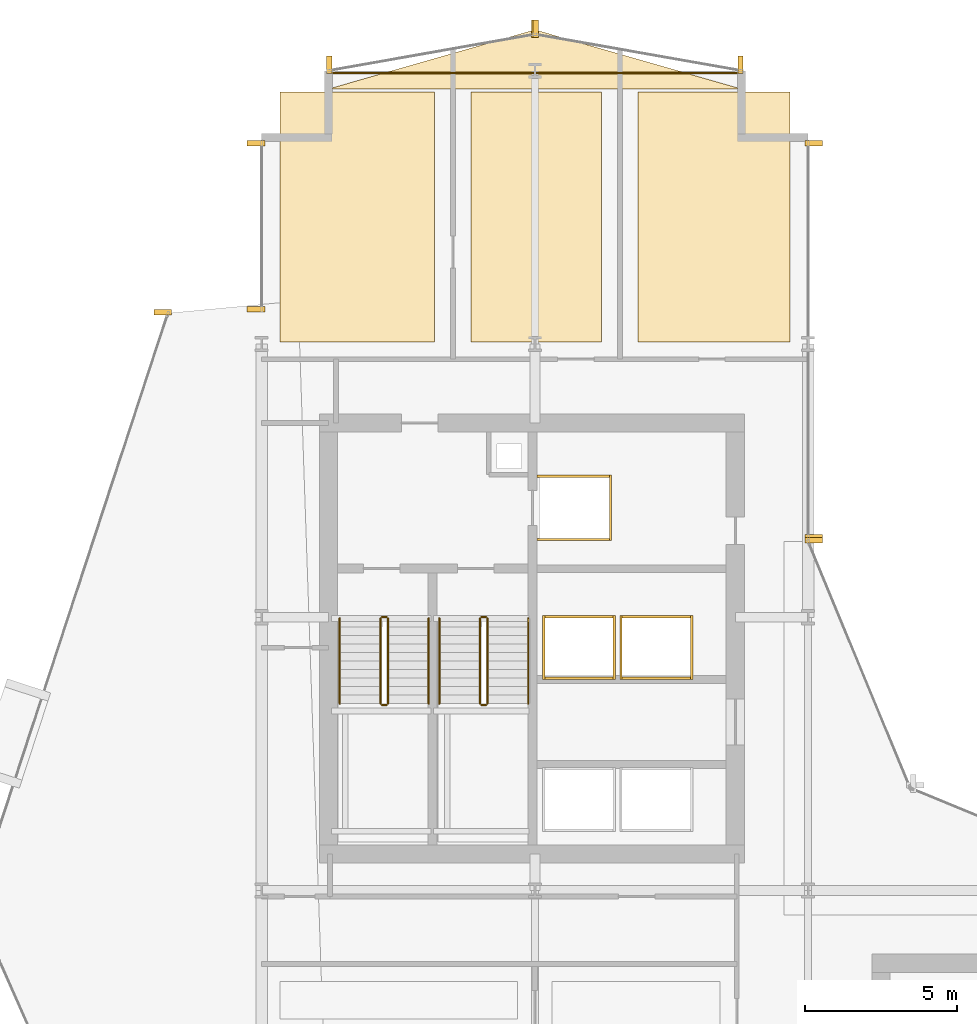
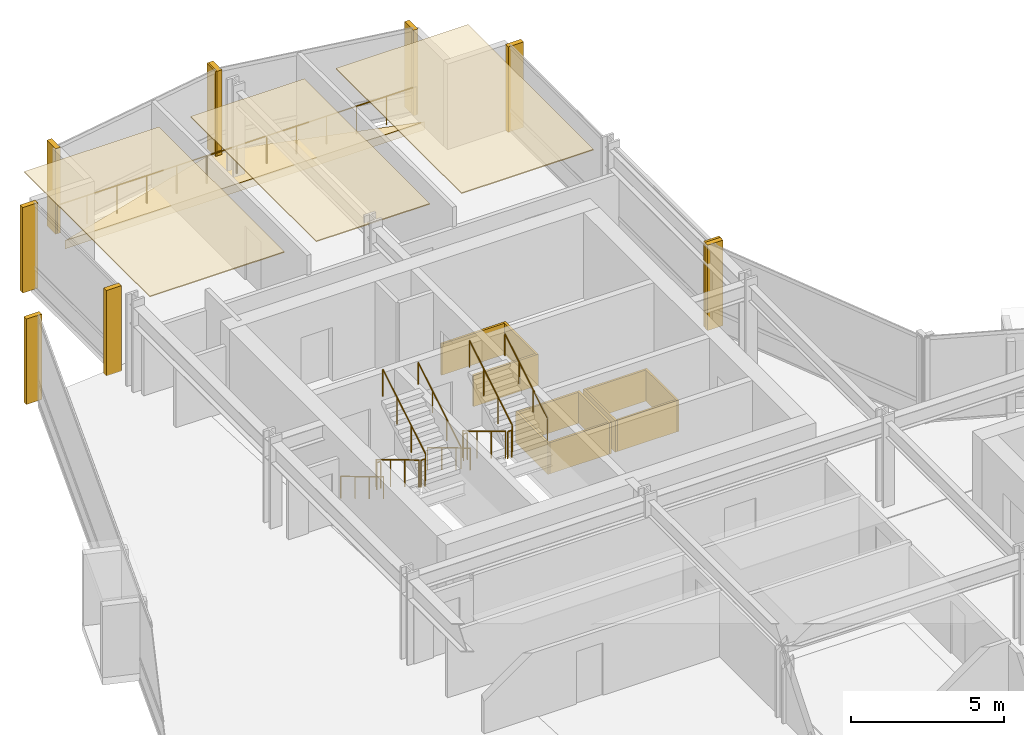
# One storey, part 33 of 34: 25 coverings, 13 railings.
"""IFC4 building model written with IfcOpenShell, lengths in metres."""

from ifc_helpers import new_model, si_unit, direction, frame, origin, origin_2d, place, context, subcontext, project, spatial, polyline, rectangle, circle, outline, extrude, material, layer, layer_set, type_object, element, save


model = new_model("IFC4")

# Units and contexts
model_context = context("Model", 3, precision=1e-05, world=origin(), true_north=direction((0.0, 1.0)))
body_context = subcontext(model_context, "Body", "Model", "MODEL_VIEW")
ifc_project = project(units=[si_unit("LENGTHUNIT", "METRE"), si_unit("AREAUNIT", "SQUARE_METRE"), si_unit("VOLUMEUNIT", "CUBIC_METRE"), si_unit("PLANEANGLEUNIT", "RADIAN"), si_unit("MASSUNIT", "GRAM", prefix="KILO")], contexts=[model_context])

# Site, building, storey
site_placement = place(None, origin())
site = spatial("IfcSite", under=ifc_project, at=site_placement, CompositionType="ELEMENT")
building_placement = place(site_placement, origin())
building = spatial("IfcBuilding", under=site, at=building_placement, Name="Solvaryn Broadcast Tower", CompositionType="ELEMENT")
storey_placement = place(building_placement, frame((0.0, 0.0, 43.39990234375)))
storey = spatial("IfcBuildingStorey", under=building, at=storey_placement, Name="L09", CompositionType="ELEMENT", Elevation=43.39990234375)

# Coverings
ifc_material_1 = material(Name="Micro-Perforated Acoustic Gypsum Ceiling", Category="concrete")
ifc_layer_1 = layer(ifc_material_1, 0.0400390625)
ifc_layer_set_1 = layer_set([ifc_layer_1], Name="CV-CEIL-ACOUSTIC")
covering_type_1 = type_object("IfcCoveringType", Name="CV-CEIL-ACOUSTIC", PredefinedType="CEILING", material=ifc_layer_set_1)
covering_1_placement = place(storey_placement, frame((0.0, 0.0, 3.380126953125)))
element("IfcCovering", 1, at=covering_1_placement, inside=storey, type_object=covering_type_1, Name="L09 Room Acoustic Ceiling 8", PredefinedType="CEILING", context=body_context, shape_type="SweptSolid", body=[
    extrude(outline(polyline([(9.60009765625, 45.070068359375), (14.699951171875, 45.070068359375), (14.699951171875, 53.300048828125), (9.60009765625, 53.300048828125), (9.60009765625, 45.070068359375)])), origin(), (0.0, 0.0, 1.0), 0.0400390625),
])
covering_2_placement = place(storey_placement, frame((0.0, 0.0, 3.380126953125)))
element("IfcCovering", 2, at=covering_2_placement, inside=storey, type_object=covering_type_1, Name="L09 Room Acoustic Ceiling 9", PredefinedType="CEILING", context=body_context, shape_type="SweptSolid", body=[
    extrude(outline(polyline([(15.89990234375, 45.070068359375), (20.199951171875, 45.070068359375), (20.199951171875, 53.300048828125), (15.89990234375, 53.300048828125), (15.89990234375, 45.070068359375)])), origin(), (0.0, 0.0, 1.0), 0.0400390625),
])
covering_3_placement = place(storey_placement, frame((0.0, 0.0, 3.380126953125)))
element("IfcCovering", 3, at=covering_3_placement, inside=storey, type_object=covering_type_1, Name="L09 Room Acoustic Ceiling 10", PredefinedType="CEILING", context=body_context, shape_type="SweptSolid", body=[
    extrude(outline(polyline([(21.39990234375, 45.070068359375), (26.39990234375, 45.070068359375), (26.39990234375, 53.300048828125), (21.39990234375, 53.300048828125), (21.39990234375, 45.070068359375)])), origin(), (0.0, 0.0, 1.0), 0.0400390625),
])
ifc_material_2 = material(Name="Fire-Rated Gypsum Shaftwall Liner", Category="concrete")
ifc_layer_2 = layer(ifc_material_2, 0.080078125)
ifc_layer_set_2 = layer_set([ifc_layer_2], Name="CV-SHAFT-LINER")
covering_type_2 = type_object("IfcCoveringType", Name="CV-SHAFT-LINER", PredefinedType="CLADDING", material=ifc_layer_set_2)
for number, where, z_axis, x_axis, name in (
    (4, (19.300048828125, 40.639892578125, 0.0), (0.0, 0.0, 1.0), (1.0, 0.0, 0.0), "L09 FL1 Hoistway Shaft Liner North"),
    (5, (19.300048828125, 38.56005859375, 0.0), (0.0, 0.0, 1.0), (1.0, 0.0, 0.0), "L09 FL1 Hoistway Shaft Liner South"),
):
    element("IfcCovering", number, at=place(storey_placement, frame(where, z_axis=z_axis, x_axis=x_axis)), inside=storey, type_object=covering_type_2, Name=name, PredefinedType="CLADDING", context=body_context, shape_type="SweptSolid", body=[
        extrude(rectangle(XDim=2.4599609375, YDim=0.080078125, at=origin_2d()), origin(), (0.0, 0.0, 1.0), 1.25),
    ])
covering_4_placement = place(storey_placement, frame((20.489990234375, 39.60009765625, 0.0), z_axis=(0.0, 0.0, 1.0), x_axis=(1.0, 0.0, 0.0)))
element("IfcCovering", 6, at=covering_4_placement, inside=storey, type_object=covering_type_2, Name="L09 FL1 Hoistway Shaft Liner East", PredefinedType="CLADDING", context=body_context, shape_type="SweptSolid", body=[
    extrude(rectangle(XDim=0.080078125, YDim=2.159912109375, at=origin_2d()), origin(), (0.0, 0.0, 1.0), 1.25),
])
for number, where, z_axis, x_axis, name in (
    (7, (19.449951171875, 36.014892578125, 0.0), (0.0, 0.0, 1.0), (1.0, 0.0, 0.0), "L09 PH3 Hoistway Shaft Liner North"),
    (8, (19.449951171875, 33.985107421875, 0.0), (0.0, 0.0, 1.0), (1.0, 0.0, 0.0), "L09 PH3 Hoistway Shaft Liner South"),
):
    element("IfcCovering", number, at=place(storey_placement, frame(where, z_axis=z_axis, x_axis=x_axis)), inside=storey, type_object=covering_type_2, Name=name, PredefinedType="CLADDING", context=body_context, shape_type="SweptSolid", body=[
        extrude(rectangle(XDim=2.409912109375, YDim=0.080078125, at=origin_2d()), origin(), (0.0, 0.0, 1.0), 1.25),
    ])
for number, where, z_axis, x_axis, name in (
    (9, (20.614990234375, 35.0, 0.0), (0.0, 0.0, 1.0), (1.0, 0.0, 0.0), "L09 PH3 Hoistway Shaft Liner East"),
    (10, (18.284912109375, 35.0, 0.0), (0.0, 0.0, 1.0), (1.0, 0.0, 0.0), "L09 PH3 Hoistway Shaft Liner West"),
):
    element("IfcCovering", number, at=place(storey_placement, frame(where, z_axis=z_axis, x_axis=x_axis)), inside=storey, type_object=covering_type_2, Name=name, PredefinedType="CLADDING", context=body_context, shape_type="SweptSolid", body=[
        extrude(rectangle(XDim=0.080078125, YDim=2.110107421875, at=origin_2d()), origin(), (0.0, 0.0, 1.0), 1.25),
    ])
for number, where, z_axis, x_axis, name in (
    (11, (22.0, 36.014892578125, 0.0), (0.0, 0.0, 1.0), (1.0, 0.0, 0.0), "L09 PH4 Hoistway Shaft Liner North"),
    (12, (22.0, 33.985107421875, 0.0), (0.0, 0.0, 1.0), (1.0, 0.0, 0.0), "L09 PH4 Hoistway Shaft Liner South"),
):
    element("IfcCovering", number, at=place(storey_placement, frame(where, z_axis=z_axis, x_axis=x_axis)), inside=storey, type_object=covering_type_2, Name=name, PredefinedType="CLADDING", context=body_context, shape_type="SweptSolid", body=[
        extrude(rectangle(XDim=2.409912109375, YDim=0.080078125, at=origin_2d()), origin(), (0.0, 0.0, 1.0), 1.25),
    ])
for number, where, z_axis, x_axis, name in (
    (13, (23.1650390625, 35.0, 0.0), (0.0, 0.0, 1.0), (1.0, 0.0, 0.0), "L09 PH4 Hoistway Shaft Liner East"),
    (14, (20.8349609375, 35.0, 0.0), (0.0, 0.0, 1.0), (1.0, 0.0, 0.0), "L09 PH4 Hoistway Shaft Liner West"),
):
    element("IfcCovering", number, at=place(storey_placement, frame(where, z_axis=z_axis, x_axis=x_axis)), inside=storey, type_object=covering_type_2, Name=name, PredefinedType="CLADDING", context=body_context, shape_type="SweptSolid", body=[
        extrude(rectangle(XDim=0.080078125, YDim=2.110107421875, at=origin_2d()), origin(), (0.0, 0.0, 1.0), 1.25),
    ])
ifc_material_3 = material(Name="Extruded Architectural Terracotta Fin", Category="masonry")
ifc_layer_3 = layer(ifc_material_3, 0.179931640625)
ifc_layer_set_3 = layer_set([ifc_layer_3], Name="CV-TC-FIN")
covering_type_3 = type_object("IfcCoveringType", Name="CV-TC-FIN", PredefinedType="USERDEFINED", material=ifc_layer_set_3)
for number, where, z_axis, x_axis, name in (
    (15, (5.735595703125, 46.043701171875, 0.000244140625), (0.0, 0.0, 1.0), (1.0, 0.0, 0.0), "L09 Terracotta Vertical Fin FIN-L09-DR1-M00"),
    (16, (8.8125, 46.14599609375, 0.000244140625), (0.0, 0.0, 1.0), (1.0, 0.0, 0.0), "L09 Terracotta Vertical Fin FIN-L09-W2-M00"),
    (17, (8.8125, 51.6201171875, 0.000244140625), (0.0, 0.0, 1.0), (1.0, 0.0, 0.0), "L09 Terracotta Vertical Fin FIN-L09-W2-M01"),
    (18, (27.1875, 51.6201171875, 0.000244140625), (0.0, 0.0, 1.0), (1.0, 0.0, 0.0), "L09 Terracotta Vertical Fin FIN-L09-IV-M00"),
    (19, (27.1875, 38.6298828125, 0.000244140625), (0.0, 0.0, 1.0), (1.0, 0.0, 0.0), "L09 Terracotta Vertical Fin FIN-L09-IV-M01"),
    (20, (27.177978515625, 38.541259765625, 0.000244140625), (0.0, 0.0, 1.0), (1.0, 0.0, 0.0), "L09 Terracotta Vertical Fin FIN-L09-CN2-M01"),
):
    element("IfcCovering", number, at=place(storey_placement, frame(where, z_axis=z_axis, x_axis=x_axis)), inside=storey, type_object=covering_type_3, Name=name, ObjectType="FIN", PredefinedType="USERDEFINED", context=body_context, shape_type="SweptSolid", body=[
        extrude(rectangle(XDim=0.580078125, YDim=0.179931640625, at=origin_2d()), origin(), (0.0, 0.0, 1.0), 3.419921875),
    ])
for number, where, z_axis, x_axis, name in (
    (21, (24.7705078125, 54.192626953125, 0.000244140625), (0.0, 0.0, 1.0), (1.0, 0.0, 0.0), "L09 Terracotta Vertical Fin FIN-L09-NT1-M00"),
    (22, (18.029541015625, 55.38232421875, 0.000244140625), (0.0, 0.0, 1.0), (1.0, 0.0, 0.0), "L09 Terracotta Vertical Fin FIN-L09-NT1-M01"),
    (23, (17.970458984375, 55.38232421875, 0.000244140625), (0.0, 0.0, 1.0), (1.0, 0.0, 0.0), "L09 Terracotta Vertical Fin FIN-L09-NT2-M00"),
    (24, (11.2294921875, 54.192626953125, 0.000244140625), (0.0, 0.0, 1.0), (1.0, 0.0, 0.0), "L09 Terracotta Vertical Fin FIN-L09-NT2-M01"),
):
    element("IfcCovering", number, at=place(storey_placement, frame(where, z_axis=z_axis, x_axis=x_axis)), inside=storey, type_object=covering_type_3, Name=name, ObjectType="FIN", PredefinedType="USERDEFINED", context=body_context, shape_type="SweptSolid", body=[
        extrude(rectangle(XDim=0.179931640625, YDim=0.580078125, at=origin_2d()), origin(), (0.0, 0.0, 1.0), 3.419921875),
    ])
ifc_material_4 = material(Name="Sculpted Architectural Terracotta Wave Fascia", Category="masonry")
ifc_layer_4 = layer(ifc_material_4, 0.340087890625)
ifc_layer_set_4 = layer_set([ifc_layer_4], Name="CV-WAVE-TRAY")
covering_type_4 = type_object("IfcCoveringType", Name="CV-WAVE-TRAY", PredefinedType="CLADDING", material=ifc_layer_set_4)
covering_5_placement = place(storey_placement, frame((0.0, 0.0, -0.2998046875)))
element("IfcCovering", 25, at=covering_5_placement, inside=storey, type_object=covering_type_4, Name="L09 North Curved Wing Deck", PredefinedType="CLADDING", context=body_context, shape_type="SweptSolid", body=[
    extrude(outline(polyline([(11.199951171875, 53.39990234375), (24.800048828125, 53.39990234375), (18.0, 55.35009765625), (11.199951171875, 53.39990234375)])), origin(), (0.0, 0.0, 1.0), 0.329833984375),
])

# Railings
ifc_material_5 = material(Name="Painted Steel Stair Well Guard", Category="steel")
railing_type_1 = type_object("IfcRailingType", Name="RL-STAIR-GUARD", PredefinedType="BALUSTRADE", material=ifc_material_5)
railing_1_placement = place(storey_placement, frame((12.909912109375, 35.9599609375, 0.168212890625)))
element("IfcRailing", 26, at=railing_1_placement, inside=storey, type_object=railing_type_1, Name="L09 ST1 stair guard 1", PredefinedType="BALUSTRADE", context=body_context, shape_type="SweptSolid", body=[
    extrude(circle(Radius=0.02392578125, at=origin_2d()), frame((0.0, 0.0, 1.076171875), z_axis=(0.0, -0.857242210791, 0.514913383045), x_axis=(1.0, 0.0, 0.0)), (0.0, 0.0, 1.0), 3.266357421875),
    extrude(circle(Radius=0.02099609375, at=origin_2d()), origin(), (0.0, 0.0, 1.0), 1.052001953125),
    extrude(circle(Radius=0.02099609375, at=origin_2d()), frame((0.0, -0.933349609375, 0.560546875)), (0.0, 0.0, 1.0), 1.052001953125),
    extrude(circle(Radius=0.02099609375, at=origin_2d()), frame((0.0, -1.86669921875, 1.121337890625)), (0.0, 0.0, 1.0), 1.052001953125),
    extrude(circle(Radius=0.02099609375, at=origin_2d()), frame((0.0, -2.800048828125, 1.681884765625)), (0.0, 0.0, 1.0), 1.052001953125),
])
railing_2_placement = place(storey_placement, frame((12.9599609375, 33.110107421875, 1.85009765625)))
element("IfcRailing", 27, at=railing_2_placement, inside=storey, type_object=railing_type_1, Name="L09 ST1 stair guard 2", PredefinedType="BALUSTRADE", context=body_context, shape_type="SweptSolid", body=[
    extrude(circle(Radius=0.02392578125, at=origin_2d()), frame((0.0, 0.0, 1.076171875), z_axis=(1.0, 0.0, 0.0), x_axis=(0.0, 1.0, 0.0)), (0.0, 0.0, 1.0), 0.150146484375),
    extrude(circle(Radius=0.02099609375, at=origin_2d()), origin(), (0.0, 0.0, 1.0), 1.052001953125),
    extrude(circle(Radius=0.02099609375, at=origin_2d()), frame((0.150146484375, 0.0, 0.0)), (0.0, 0.0, 1.0), 1.052001953125),
])
railing_3_placement = place(storey_placement, frame((13.159912109375, 33.159912109375, 2.018310546875)))
element("IfcRailing", 28, at=railing_3_placement, inside=storey, type_object=railing_type_1, Name="L09 ST1 stair guard 3", PredefinedType="BALUSTRADE", context=body_context, shape_type="SweptSolid", body=[
    extrude(circle(Radius=0.02392578125, at=origin_2d()), frame((0.0, 0.0, 1.076171875), z_axis=(0.0, 0.857242210791, 0.514913383045), x_axis=(-1.0, 0.0, 0.0)), (0.0, 0.0, 1.0), 3.266357421875),
    extrude(circle(Radius=0.02099609375, at=origin_2d()), origin(), (0.0, 0.0, 1.0), 1.052001953125),
    extrude(circle(Radius=0.02099609375, at=origin_2d()), frame((0.0, 0.933349609375, 0.560546875)), (0.0, 0.0, 1.0), 1.052001953125),
    extrude(circle(Radius=0.02099609375, at=origin_2d()), frame((0.0, 1.86669921875, 1.121337890625)), (0.0, 0.0, 1.0), 1.052001953125),
    extrude(circle(Radius=0.02099609375, at=origin_2d()), frame((0.0, 2.800048828125, 1.681884765625)), (0.0, 0.0, 1.0), 1.052001953125),
])
railing_4_placement = place(storey_placement, frame((12.9599609375, 36.010009765625, 0.0)))
element("IfcRailing", 29, at=railing_4_placement, inside=storey, type_object=railing_type_1, Name="L09 ST1 stair guard 4", PredefinedType="BALUSTRADE", context=body_context, shape_type="SweptSolid", body=[
    extrude(circle(Radius=0.02392578125, at=origin_2d()), frame((0.0, 0.0, 1.076171875), z_axis=(1.0, 0.0, 0.0), x_axis=(0.0, 1.0, 0.0)), (0.0, 0.0, 1.0), 0.150146484375),
    extrude(circle(Radius=0.02099609375, at=origin_2d()), origin(), (0.0, 0.0, 1.0), 1.052001953125),
    extrude(circle(Radius=0.02099609375, at=origin_2d()), frame((0.150146484375, 0.0, 0.0)), (0.0, 0.0, 1.0), 1.052001953125),
])
railing_5_placement = place(storey_placement, frame((16.18994140625, 35.9599609375, 0.168212890625)))
element("IfcRailing", 30, at=railing_5_placement, inside=storey, type_object=railing_type_1, Name="L09 ST2 stair guard 1", PredefinedType="BALUSTRADE", context=body_context, shape_type="SweptSolid", body=[
    extrude(circle(Radius=0.02392578125, at=origin_2d()), frame((0.0, 0.0, 1.076171875), z_axis=(0.0, -0.857242210791, 0.514913383045), x_axis=(1.0, 0.0, 0.0)), (0.0, 0.0, 1.0), 3.266357421875),
    extrude(circle(Radius=0.02099609375, at=origin_2d()), origin(), (0.0, 0.0, 1.0), 1.052001953125),
    extrude(circle(Radius=0.02099609375, at=origin_2d()), frame((0.0, -0.933349609375, 0.560546875)), (0.0, 0.0, 1.0), 1.052001953125),
    extrude(circle(Radius=0.02099609375, at=origin_2d()), frame((0.0, -1.86669921875, 1.121337890625)), (0.0, 0.0, 1.0), 1.052001953125),
    extrude(circle(Radius=0.02099609375, at=origin_2d()), frame((0.0, -2.800048828125, 1.681884765625)), (0.0, 0.0, 1.0), 1.052001953125),
])
railing_6_placement = place(storey_placement, frame((16.239990234375, 33.110107421875, 1.85009765625)))
element("IfcRailing", 31, at=railing_6_placement, inside=storey, type_object=railing_type_1, Name="L09 ST2 stair guard 2", PredefinedType="BALUSTRADE", context=body_context, shape_type="SweptSolid", body=[
    extrude(circle(Radius=0.02392578125, at=origin_2d()), frame((0.0, 0.0, 1.076171875), z_axis=(1.0, 0.0, 0.0), x_axis=(0.0, 1.0, 0.0)), (0.0, 0.0, 1.0), 0.14990234375),
    extrude(circle(Radius=0.02099609375, at=origin_2d()), origin(), (0.0, 0.0, 1.0), 1.052001953125),
    extrude(circle(Radius=0.02099609375, at=origin_2d()), frame((0.14990234375, 0.0, 0.0)), (0.0, 0.0, 1.0), 1.052001953125),
])
railing_7_placement = place(storey_placement, frame((16.43994140625, 33.159912109375, 2.018310546875)))
element("IfcRailing", 32, at=railing_7_placement, inside=storey, type_object=railing_type_1, Name="L09 ST2 stair guard 3", PredefinedType="BALUSTRADE", context=body_context, shape_type="SweptSolid", body=[
    extrude(circle(Radius=0.02392578125, at=origin_2d()), frame((0.0, 0.0, 1.076171875), z_axis=(0.0, 0.857242210791, 0.514913383045), x_axis=(-1.0, 0.0, 0.0)), (0.0, 0.0, 1.0), 3.266357421875),
    extrude(circle(Radius=0.02099609375, at=origin_2d()), origin(), (0.0, 0.0, 1.0), 1.052001953125),
    extrude(circle(Radius=0.02099609375, at=origin_2d()), frame((0.0, 0.933349609375, 0.560546875)), (0.0, 0.0, 1.0), 1.052001953125),
    extrude(circle(Radius=0.02099609375, at=origin_2d()), frame((0.0, 1.86669921875, 1.121337890625)), (0.0, 0.0, 1.0), 1.052001953125),
    extrude(circle(Radius=0.02099609375, at=origin_2d()), frame((0.0, 2.800048828125, 1.681884765625)), (0.0, 0.0, 1.0), 1.052001953125),
])
railing_8_placement = place(storey_placement, frame((16.239990234375, 36.010009765625, 0.0)))
element("IfcRailing", 33, at=railing_8_placement, inside=storey, type_object=railing_type_1, Name="L09 ST2 stair guard 4", PredefinedType="BALUSTRADE", context=body_context, shape_type="SweptSolid", body=[
    extrude(circle(Radius=0.02392578125, at=origin_2d()), frame((0.0, 0.0, 1.076171875), z_axis=(1.0, 0.0, 0.0), x_axis=(0.0, 1.0, 0.0)), (0.0, 0.0, 1.0), 0.14990234375),
    extrude(circle(Radius=0.02099609375, at=origin_2d()), origin(), (0.0, 0.0, 1.0), 1.052001953125),
    extrude(circle(Radius=0.02099609375, at=origin_2d()), frame((0.14990234375, 0.0, 0.0)), (0.0, 0.0, 1.0), 1.052001953125),
])
ifc_material_6 = material(Name="Brushed Stainless Steel Tubular Handrail", Category="steel")
railing_type_2 = type_object("IfcRailingType", Name="RL-STAIR-HANDRAIL", PredefinedType="HANDRAIL", material=ifc_material_6)
railing_9_placement = place(storey_placement, frame((11.570068359375, 35.9599609375, 0.168212890625)))
element("IfcRailing", 34, at=railing_9_placement, inside=storey, type_object=railing_type_2, Name="L09 ST1 stair handrail 1", PredefinedType="HANDRAIL", context=body_context, shape_type="SweptSolid", body=[
    extrude(circle(Radius=0.02392578125, at=origin_2d()), frame((0.0, 0.0, 0.8759765625), z_axis=(0.0, -0.857242210791, 0.514913383045), x_axis=(1.0, 0.0, 0.0)), (0.0, 0.0, 1.0), 3.266357421875),
    extrude(circle(Radius=0.02099609375, at=origin_2d()), origin(), (0.0, 0.0, 1.0), 0.851806640625),
    extrude(circle(Radius=0.02099609375, at=origin_2d()), frame((0.0, -0.933349609375, 0.560546875)), (0.0, 0.0, 1.0), 0.851806640625),
    extrude(circle(Radius=0.02099609375, at=origin_2d()), frame((0.0, -1.86669921875, 1.121337890625)), (0.0, 0.0, 1.0), 0.851806640625),
    extrude(circle(Radius=0.02099609375, at=origin_2d()), frame((0.0, -2.800048828125, 1.681884765625)), (0.0, 0.0, 1.0), 0.851806640625),
])
railing_10_placement = place(storey_placement, frame((14.5, 33.159912109375, 2.018310546875)))
element("IfcRailing", 35, at=railing_10_placement, inside=storey, type_object=railing_type_2, Name="L09 ST1 stair handrail 2", PredefinedType="HANDRAIL", context=body_context, shape_type="SweptSolid", body=[
    extrude(circle(Radius=0.02392578125, at=origin_2d()), frame((0.0, 0.0, 0.8759765625), z_axis=(0.0, 0.857242210791, 0.514913383045), x_axis=(-1.0, 0.0, 0.0)), (0.0, 0.0, 1.0), 3.266357421875),
    extrude(circle(Radius=0.02099609375, at=origin_2d()), origin(), (0.0, 0.0, 1.0), 0.851806640625),
    extrude(circle(Radius=0.02099609375, at=origin_2d()), frame((0.0, 0.933349609375, 0.560546875)), (0.0, 0.0, 1.0), 0.851806640625),
    extrude(circle(Radius=0.02099609375, at=origin_2d()), frame((0.0, 1.86669921875, 1.121337890625)), (0.0, 0.0, 1.0), 0.851806640625),
    extrude(circle(Radius=0.02099609375, at=origin_2d()), frame((0.0, 2.800048828125, 1.681884765625)), (0.0, 0.0, 1.0), 0.851806640625),
])
railing_11_placement = place(storey_placement, frame((14.85009765625, 35.9599609375, 0.168212890625)))
element("IfcRailing", 36, at=railing_11_placement, inside=storey, type_object=railing_type_2, Name="L09 ST2 stair handrail 1", PredefinedType="HANDRAIL", context=body_context, shape_type="SweptSolid", body=[
    extrude(circle(Radius=0.02392578125, at=origin_2d()), frame((0.0, 0.0, 0.8759765625), z_axis=(0.0, -0.857242210791, 0.514913383045), x_axis=(1.0, 0.0, 0.0)), (0.0, 0.0, 1.0), 3.266357421875),
    extrude(circle(Radius=0.02099609375, at=origin_2d()), origin(), (0.0, 0.0, 1.0), 0.851806640625),
    extrude(circle(Radius=0.02099609375, at=origin_2d()), frame((0.0, -0.933349609375, 0.560546875)), (0.0, 0.0, 1.0), 0.851806640625),
    extrude(circle(Radius=0.02099609375, at=origin_2d()), frame((0.0, -1.86669921875, 1.121337890625)), (0.0, 0.0, 1.0), 0.851806640625),
    extrude(circle(Radius=0.02099609375, at=origin_2d()), frame((0.0, -2.800048828125, 1.681884765625)), (0.0, 0.0, 1.0), 0.851806640625),
])
railing_12_placement = place(storey_placement, frame((17.780029296875, 33.159912109375, 2.018310546875)))
element("IfcRailing", 37, at=railing_12_placement, inside=storey, type_object=railing_type_2, Name="L09 ST2 stair handrail 2", PredefinedType="HANDRAIL", context=body_context, shape_type="SweptSolid", body=[
    extrude(circle(Radius=0.02392578125, at=origin_2d()), frame((0.0, 0.0, 0.8759765625), z_axis=(0.0, 0.857242210791, 0.514913383045), x_axis=(-1.0, 0.0, 0.0)), (0.0, 0.0, 1.0), 3.266357421875),
    extrude(circle(Radius=0.02099609375, at=origin_2d()), origin(), (0.0, 0.0, 1.0), 0.851806640625),
    extrude(circle(Radius=0.02099609375, at=origin_2d()), frame((0.0, 0.933349609375, 0.560546875)), (0.0, 0.0, 1.0), 0.851806640625),
    extrude(circle(Radius=0.02099609375, at=origin_2d()), frame((0.0, 1.86669921875, 1.121337890625)), (0.0, 0.0, 1.0), 0.851806640625),
    extrude(circle(Radius=0.02099609375, at=origin_2d()), frame((0.0, 2.800048828125, 1.681884765625)), (0.0, 0.0, 1.0), 0.851806640625),
])
ifc_material_7 = material(Name="Stainless Steel and Laminated Glass Guard", Category="steel")
railing_type_3 = type_object("IfcRailingType", Name="RL-TER-1150", PredefinedType="BALUSTRADE", material=ifc_material_7)
railing_13_placement = place(storey_placement, frame((11.199951171875, 53.919921875, 0.0)))
element("IfcRailing", 38, at=railing_13_placement, inside=storey, type_object=railing_type_3, Name="L09 North Wing Spandrel Edge Guard", PredefinedType="BALUSTRADE", context=body_context, shape_type="SweptSolid", body=[
    extrude(circle(Radius=0.02392578125, at=origin_2d()), frame((0.0, 0.0, 1.1259765625), z_axis=(1.0, 0.0, 0.0), x_axis=(0.0, 1.0, 0.0)), (0.0, 0.0, 1.0), 13.60009765625),
    extrude(circle(Radius=0.02099609375, at=origin_2d()), origin(), (0.0, 0.0, 1.0), 1.101806640625),
    extrude(circle(Radius=0.02099609375, at=origin_2d()), frame((1.13330078125, 0.0, 0.0)), (0.0, 0.0, 1.0), 1.101806640625),
    extrude(circle(Radius=0.02099609375, at=origin_2d()), frame((2.2666015625, 0.0, 0.0)), (0.0, 0.0, 1.0), 1.101806640625),
    extrude(circle(Radius=0.02099609375, at=origin_2d()), frame((3.39990234375, 0.0, 0.0)), (0.0, 0.0, 1.0), 1.101806640625),
    extrude(circle(Radius=0.02099609375, at=origin_2d()), frame((4.533447265625, 0.0, 0.0)), (0.0, 0.0, 1.0), 1.101806640625),
    extrude(circle(Radius=0.02099609375, at=origin_2d()), frame((5.666748046875, 0.0, 0.0)), (0.0, 0.0, 1.0), 1.101806640625),
    extrude(circle(Radius=0.02099609375, at=origin_2d()), frame((6.800048828125, 0.0, 0.0)), (0.0, 0.0, 1.0), 1.101806640625),
    extrude(circle(Radius=0.02099609375, at=origin_2d()), frame((7.933349609375, 0.0, 0.0)), (0.0, 0.0, 1.0), 1.101806640625),
    extrude(circle(Radius=0.02099609375, at=origin_2d()), frame((9.066650390625, 0.0, 0.0)), (0.0, 0.0, 1.0), 1.101806640625),
    extrude(circle(Radius=0.02099609375, at=origin_2d()), frame((10.2001953125, 0.0, 0.0)), (0.0, 0.0, 1.0), 1.101806640625),
    extrude(circle(Radius=0.02099609375, at=origin_2d()), frame((11.33349609375, 0.0, 0.0)), (0.0, 0.0, 1.0), 1.101806640625),
    extrude(circle(Radius=0.02099609375, at=origin_2d()), frame((12.466796875, 0.0, 0.0)), (0.0, 0.0, 1.0), 1.101806640625),
    extrude(circle(Radius=0.02099609375, at=origin_2d()), frame((13.60009765625, 0.0, 0.0)), (0.0, 0.0, 1.0), 1.101806640625),
])

save(model, "model.ifc")
